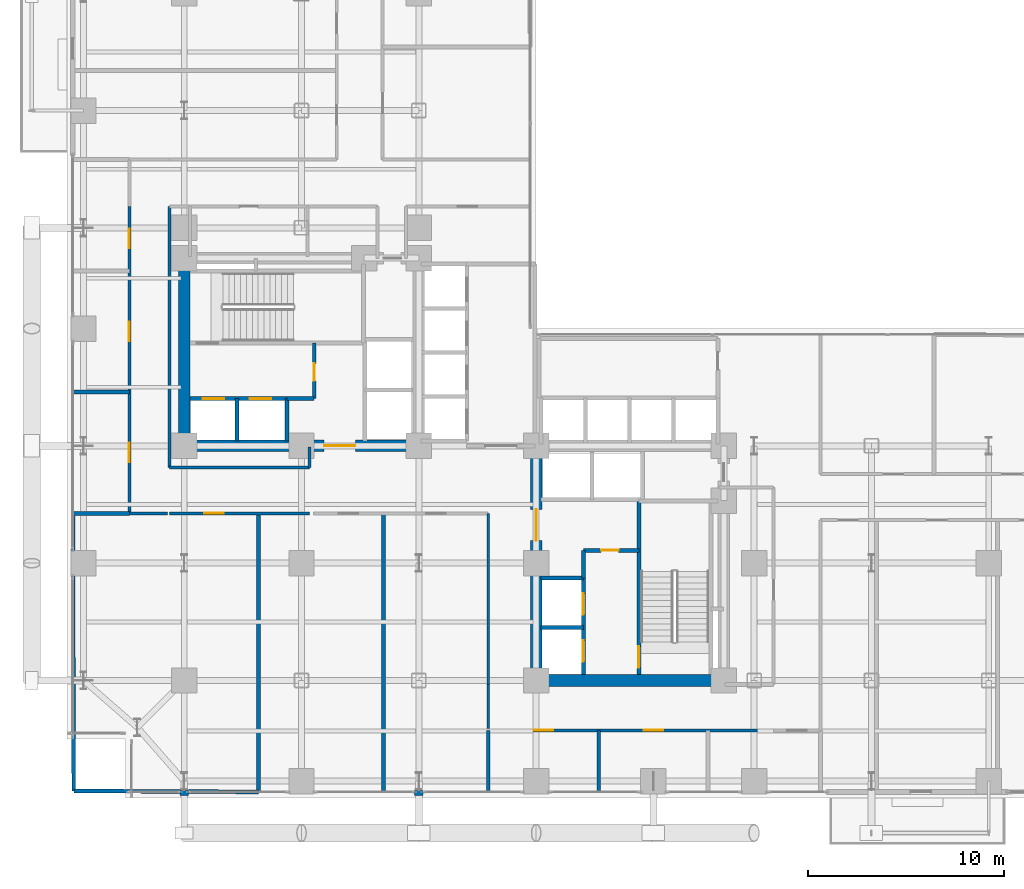
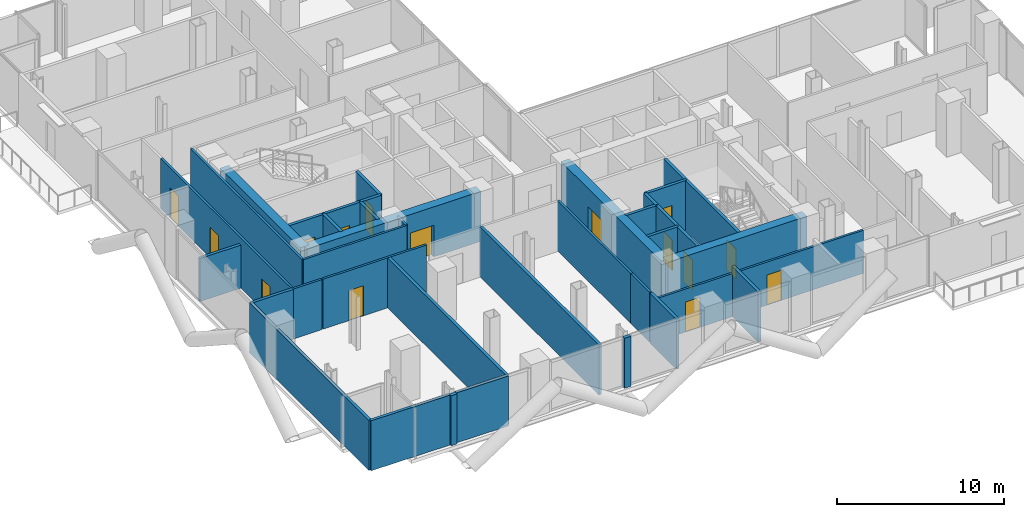
# One storey, part 21 of 27: 35 walls, 15 doors, 15 openings.
"""IFC4 building model written with IfcOpenShell, lengths in metres."""

import ifcopenshell
import ifcopenshell.guid

model = None  # the IFC model being written
_history = None  # IfcOwnerHistory: only IFC2X3 demands one
_inside = {}  # id of a spatial element -> (the spatial element, [elements in it])
_under = {}  # id of a project, library or spatial element -> (it, [spatial elements below it])
_declared = {}  # id of a project -> (the project, [libraries it declares])
_typed = {}  # id of a type object -> (the type object, [elements of that type])
_made_of = {}  # id of a material, layer set ... -> (it, [elements and type objects made of it])


def new_model(schema):
    """Start an empty IFC model of exactly this schema.

    Asked for "IFC4X3", IfcOpenShell would pick the latest addendum, in which some entities
    have other attributes; the version numbers below select the first issue.
    IFC2X3 requires an IfcOwnerHistory on every rooted entity: one is made here for all.
    """
    global model, _history
    if schema == "IFC4X3":
        model = ifcopenshell.file(schema_version=(4, 3, 0, 0))
    else:
        model = ifcopenshell.file(schema=schema)
    _inside.clear()
    _under.clear()
    _declared.clear()
    _typed.clear()
    _made_of.clear()
    _history = None
    if model.schema == "IFC2X3":
        org = make("IfcOrganization", Name="unknown")
        user = make(
            "IfcPersonAndOrganization",
            ThePerson=make("IfcPerson", FamilyName="unknown"),
            TheOrganization=org,
        )
        app = make(
            "IfcApplication",
            ApplicationDeveloper=org,
            Version="unknown",
            ApplicationFullName="unknown",
            ApplicationIdentifier="unknown",
        )
        _history = make(
            "IfcOwnerHistory",
            OwningUser=user,
            OwningApplication=app,
            ChangeAction="ADDED",
            CreationDate=0,
        )
    return model


def make(cls, **values):
    """One entity of the class cls with the attributes given. An attribute that is None is left unset."""
    return model.create_entity(
        cls, **{name: value for name, value in values.items() if value is not None}
    )


def rooted(cls, **values):
    """An entity with a GlobalId (a new one), such as an element, a storey or a relation."""
    return make(cls, GlobalId=ifcopenshell.guid.new(), OwnerHistory=_history, **values)


def si_unit(unit_type, name, prefix=None):
    """IfcSIUnit, for example si_unit("LENGTHUNIT", "METRE", prefix="MILLI")."""
    return make("IfcSIUnit", UnitType=unit_type, Prefix=prefix, Name=name)


def assignment(units):
    """IfcUnitAssignment: the units of a project."""
    return None if units is None else make("IfcUnitAssignment", Units=units)


def point(xyz):
    """IfcCartesianPoint."""
    return None if xyz is None else make("IfcCartesianPoint", Coordinates=xyz)


def direction(xyz):
    """IfcDirection."""
    return None if xyz is None else make("IfcDirection", DirectionRatios=xyz)


def frame(location, z_axis=None, x_axis=None):
    """IfcAxis2Placement3D, a coordinate frame: its origin and axes. An axis left out is left unset."""
    return make(
        "IfcAxis2Placement3D",
        Location=point(location),
        Axis=direction(z_axis),
        RefDirection=direction(x_axis),
    )


def frame_2d(location, x_axis=None):
    """IfcAxis2Placement2D, a coordinate frame in the plane: its origin and x axis."""
    return make(
        "IfcAxis2Placement2D", Location=point(location), RefDirection=direction(x_axis)
    )


def origin():
    """The frame at (0, 0, 0) with its axes left unset."""
    return frame((0.0, 0.0, 0.0))


def place(relative_to, where):
    """IfcLocalPlacement: puts the frame where relative to a parent placement (None: the world)."""
    return make(
        "IfcLocalPlacement", PlacementRelTo=relative_to, RelativePlacement=where
    )


def context(
    kind, dimensions, precision=None, world=None, true_north=None, identifier=None
):
    """IfcGeometricRepresentationContext, for example the 3D "Model" context."""
    return make(
        "IfcGeometricRepresentationContext",
        ContextIdentifier=identifier,
        ContextType=kind,
        CoordinateSpaceDimension=dimensions,
        Precision=precision,
        WorldCoordinateSystem=world,
        TrueNorth=true_north,
    )


def subcontext(parent, identifier, kind, view, scale=None):
    """IfcGeometricRepresentationSubContext, for example "Body" below "Model"."""
    return make(
        "IfcGeometricRepresentationSubContext",
        ContextIdentifier=identifier,
        ContextType=kind,
        ParentContext=parent,
        TargetScale=scale,
        TargetView=view,
    )


def project(units=None, contexts=None):
    """IfcProject with its units and contexts."""
    return rooted(
        "IfcProject",
        Name="project",
        RepresentationContexts=contexts,
        UnitsInContext=assignment(units),
    )


def spatial(cls, under=None, at=None, **own):
    """A site, building, storey or space (cls), placed at a placement, below another one or the project."""
    s = rooted(cls, ObjectPlacement=at, **own)
    if under is not None:
        _under.setdefault(under.id(), (under, []))[1].append(s)
    return s


def profile(cls, at=None, kind="AREA", **sizes):
    """A parametric profile (cls). Its sizes go by their IFC names, for example OverallWidth=200.0."""
    return make(cls, ProfileType=kind, Position=at, **sizes)


def rectangle(**sizes):
    """IfcRectangleProfileDef."""
    return profile("IfcRectangleProfileDef", **sizes)


def extrude(swept, where, along, depth):
    """IfcExtrudedAreaSolid: the profile swept, set in the frame where, extruded along a direction by depth."""
    return make(
        "IfcExtrudedAreaSolid",
        SweptArea=swept,
        Position=where,
        ExtrudedDirection=direction(along),
        Depth=depth,
    )


def shape(context_of_items, identifier, shape_type, items):
    """IfcShapeRepresentation: the items that make up one representation, for example the "Body"."""
    return make(
        "IfcShapeRepresentation",
        ContextOfItems=context_of_items,
        RepresentationIdentifier=identifier,
        RepresentationType=shape_type,
        Items=items,
    )


def material(Name=None, Category=None):
    """IfcMaterial."""
    return make("IfcMaterial", Name=Name, Category=Category)


def layer(
    of_material, thickness, ventilated=None, Name=None, Category=None, Priority=None
):
    """IfcMaterialLayer: one layer of a wall or slab, of a material (None: an air gap)."""
    return make(
        "IfcMaterialLayer",
        Material=of_material,
        LayerThickness=thickness,
        IsVentilated=ventilated,
        Name=Name,
        Category=Category,
        Priority=Priority,
    )


def layer_set(layers, Name=None):
    """IfcMaterialLayerSet."""
    return make("IfcMaterialLayerSet", MaterialLayers=layers, LayerSetName=Name)


def made_of(thing, what):
    """Note that an element or type object is made of a material, layer set ...; save() writes the relation."""
    if what is not None:
        _made_of.setdefault(what.id(), (what, []))[1].append(thing)
    return thing


def type_object(cls, material=None, **own):
    """A type object (cls), such as IfcWallType, which elements share."""
    return made_of(rooted(cls, **own), material)


def element(
    cls,
    number,
    at=None,
    inside=None,
    cuts=None,
    type_object=None,
    material=None,
    context=None,
    identifier="Body",
    shape_type=None,
    held_by="IfcProductDefinitionShape",
    body=None,
    shapes=None,
    **own,
):
    """One element of the class cls, such as IfcWall. Its Tag is "e" and its number.

    at: its placement. inside: the storey or other place that contains it. cuts: it is an
    opening in that element (IfcRelVoidsElement). A single representation is given by context,
    identifier, shape_type and body (its items); several are given by shapes. held_by: the class
    of the entity that holds the representations. save() writes the other relations.
    """
    e = rooted(cls, Tag="e%d" % number, ObjectPlacement=at, **own)
    if body is not None:
        shapes = [shape(context, identifier, shape_type, body)]
    if shapes is not None:
        e.Representation = make(held_by, Representations=shapes)
    if inside is not None:
        _inside.setdefault(inside.id(), (inside, []))[1].append(e)
    if cuts is not None:
        rooted(
            "IfcRelVoidsElement", RelatingBuildingElement=cuts, RelatedOpeningElement=e
        )
    if type_object is not None:
        _typed.setdefault(type_object.id(), (type_object, []))[1].append(e)
    return made_of(e, material)


def fill(opening, filler):
    """IfcRelFillsElement: the door or window that sits in an opening."""
    return rooted(
        "IfcRelFillsElement",
        RelatingOpeningElement=opening,
        RelatedBuildingElement=filler,
    )


def aggregate(whole, parts):
    """IfcRelAggregates: a whole, such as a stair, and the parts it consists of."""
    return rooted("IfcRelAggregates", RelatingObject=whole, RelatedObjects=parts)


def save(model, path):
    """Write the relations noted so far, then the file.

    IfcRelAggregates (storeys below a building ...), IfcRelContainedInSpatialStructure (elements
    in a storey), IfcRelDefinesByType, IfcRelAssociatesMaterial and IfcRelDeclares: one each for
    every whole, place, type object, material and project.
    """
    for whole, parts in _under.values():
        aggregate(whole, parts)
    for where, things in _inside.values():
        rooted(
            "IfcRelContainedInSpatialStructure",
            RelatedElements=things,
            RelatingStructure=where,
        )
    for kind, things in _typed.values():
        rooted("IfcRelDefinesByType", RelatedObjects=things, RelatingType=kind)
    for what, things in _made_of.values():
        rooted("IfcRelAssociatesMaterial", RelatedObjects=things, RelatingMaterial=what)
    for by, libraries in _declared.values():
        rooted("IfcRelDeclares", RelatingContext=by, RelatedDefinitions=libraries)
    model.write(path)


model = new_model("IFC4")

# Units and contexts
model_context = context("Model", 3, precision=1e-05, world=origin(), true_north=direction((0.0, 1.0)))
body_context = subcontext(model_context, "Body", "Model", "MODEL_VIEW")
ifc_project = project(units=[si_unit("LENGTHUNIT", "METRE"), si_unit("AREAUNIT", "SQUARE_METRE"), si_unit("VOLUMEUNIT", "CUBIC_METRE"), si_unit("PLANEANGLEUNIT", "RADIAN"), si_unit("MASSUNIT", "GRAM", prefix="KILO"), si_unit("THERMODYNAMICTEMPERATUREUNIT", "KELVIN"), si_unit("POWERUNIT", "WATT")], contexts=[model_context])

# Site, building, storey
site_placement = place(None, origin())
site = spatial("IfcSite", under=ifc_project, at=site_placement, CompositionType="ELEMENT")
building_placement = place(site_placement, origin())
building = spatial("IfcBuilding", under=site, at=building_placement, Name="Svarakhadi Broadcast Tower", CompositionType="ELEMENT")
storey_placement = place(building_placement, frame((0.0, 0.0, 71.39990234375)))
storey = spatial("IfcBuildingStorey", under=building, at=storey_placement, Name="L16", CompositionType="ELEMENT", Elevation=71.39990234375)

# Walls
ifc_material_1 = material(Name="Double-Stud Acoustic Studio Partition STC-62", Category="gypsum")
ifc_layer_1 = layer(ifc_material_1, 0.199951171875)
ifc_layer_set_1 = layer_set([ifc_layer_1], Name="Double-Stud Acoustic Studio Partition STC-62")
wall_type_1 = type_object("IfcWallType", Name="Wall_Acoust_200", PredefinedType="PARTITIONING", material=ifc_layer_set_1)
wall_1_placement = place(storey_placement, frame((0.35009765625, 0.35009765625, 0.0), z_axis=(0.0, 0.0, 1.0), x_axis=(0.99998595132, -0.005300675722, 0.0)))
element("IfcWall", 1, at=wall_1_placement, inside=storey, type_object=wall_type_1, Name="L16 Waterfront Broadcast Staff Dining Hall Wall", PredefinedType="PARTITIONING", context=body_context, shape_type="SweptSolid", body=[
    extrude(rectangle(XDim=5.434814453125, YDim=0.199951171875, at=frame_2d((2.71728515625, 0.0))), origin(), (0.0, 0.0, 1.0), 3.650146484375),
])
wall_2_placement = place(storey_placement, frame((6.215087890625, 0.319091796875, 0.0), z_axis=(0.0, 0.0, 1.0), x_axis=(0.999985892136, -0.005311829174, 0.0)))
element("IfcWall", 2, at=wall_2_placement, inside=storey, type_object=wall_type_1, Name="L16 Waterfront Broadcast Staff Dining Hall Wall", PredefinedType="PARTITIONING", context=body_context, shape_type="SweptSolid", body=[
    extrude(rectangle(XDim=3.5849609375, YDim=0.199951171875, at=frame_2d((1.79248046875, 0.0))), origin(), (0.0, 0.0, 1.0), 3.650146484375),
])
wall_3_placement = place(storey_placement, frame((0.35009765625, 0.35009765625, 0.0), z_axis=(0.0, 0.0, 1.0), x_axis=(-0.003524555588, 0.999993788735, 0.0)))
element("IfcWall", 3, at=wall_3_placement, inside=storey, type_object=wall_type_1, Name="L16 Waterfront Broadcast Staff Dining Hall Wall", PredefinedType="PARTITIONING", context=body_context, shape_type="SweptSolid", body=[
    extrude(rectangle(XDim=14.199951171875, YDim=0.199951171875, at=frame_2d((7.10009765625, 0.0))), origin(), (0.0, 0.0, 1.0), 3.650146484375),
])
for number, where, z_axis, x_axis, name in (
    (4, (9.800048828125, 0.300048828125, 0.0), (0.0, 0.0, 1.0), (0.0, 1.0, 0.0), "L16 Waterfront Broadcast Staff Dining Hall Wall"),
    (5, (16.199951171875, 0.300048828125, 0.0), (0.0, 0.0, 1.0), (0.0, 1.0, 0.0), "L16 Central Commercial Catering Kitchen Wall"),
):
    element("IfcWall", number, at=place(storey_placement, frame(where, z_axis=z_axis, x_axis=x_axis)), inside=storey, type_object=wall_type_1, Name=name, PredefinedType="PARTITIONING", context=body_context, shape_type="SweptSolid", body=[
        extrude(rectangle(XDim=14.25, YDim=0.199951171875, at=frame_2d((7.125, 0.0))), origin(), (0.0, 0.0, 1.0), 3.650146484375),
    ])
wall_4_placement = place(storey_placement, frame((0.300048828125, 14.550048828125, 0.0), z_axis=(0.0, 0.0, 1.0), x_axis=(1.0, 0.0, 0.0)))
element("IfcWall", 6, at=wall_4_placement, inside=storey, type_object=wall_type_1, Name="L16 Arabian Sea Commentary Booth Wall", PredefinedType="PARTITIONING", context=body_context, shape_type="SweptSolid", body=[
    extrude(rectangle(XDim=2.89990234375, YDim=0.199951171875, at=frame_2d((1.449951171875, 0.0))), origin(), (0.0, 0.0, 1.0), 3.650146484375),
])
wall_5_placement = place(storey_placement, frame((0.300048828125, 20.75, 0.0), z_axis=(0.0, 0.0, 1.0), x_axis=(1.0, 0.0, 0.0)))
element("IfcWall", 7, at=wall_5_placement, inside=storey, type_object=wall_type_1, Name="L16 Arabian Sea Commentary Booth Wall", PredefinedType="PARTITIONING", context=body_context, shape_type="SweptSolid", body=[
    extrude(rectangle(XDim=2.89990234375, YDim=0.199951171875, at=frame_2d((1.449951171875, 0.0))), origin(), (0.0, 0.0, 1.0), 3.14208984375),
])
for number, where, z_axis, x_axis, name in (
    (8, (21.550048828125, 0.300048828125, 0.0), (0.0, 0.0, 1.0), (0.0, 1.0, 0.0), "L16 South Harbour Editorial Desk Wall"),
    (9, (27.199951171875, 0.300048828125, 0.0), (0.0, 0.0, 1.0), (0.0, 1.0, 0.0), "L16 South Harbour Editorial Desk Wall"),
):
    element("IfcWall", number, at=place(storey_placement, frame(where, z_axis=z_axis, x_axis=x_axis)), inside=storey, type_object=wall_type_1, Name=name, PredefinedType="PARTITIONING", context=body_context, shape_type="SweptSolid", body=[
        extrude(rectangle(XDim=3.14990234375, YDim=0.199951171875, at=frame_2d((1.574951171875, 0.0))), origin(), (0.0, 0.0, 1.0), 3.650146484375),
    ])
ifc_material_2 = material(Name="Concrete C40/50 (IS 456 M50)", Category="concrete")
ifc_layer_2 = layer(ifc_material_2, 0.239990234375)
ifc_layer_set_2 = layer_set([ifc_layer_2], Name="Concrete C40/50 (IS 456 M50)")
wall_type_2 = type_object("IfcWallType", Name="Wall_Ext_240", PredefinedType="SOLIDWALL", material=ifc_layer_set_2)
for number, where, z_axis, x_axis, name in (
    (10, (18.215087890625, 0.239990234375, 0.0), (0.0, 0.0, 1.0), (-1.0, 0.0, 0.0), "L16 Perimeter Bronze Spandrel Closure Wall 05"),
    (11, (6.215087890625, 0.239990234375, 0.0), (0.0, 0.0, 1.0), (-1.0, 0.0, 0.0), "L16 Perimeter Bronze Spandrel Closure Wall 06"),
):
    element("IfcWall", number, at=place(storey_placement, frame(where, z_axis=z_axis, x_axis=x_axis)), inside=storey, type_object=wall_type_2, Name=name, PredefinedType="SOLIDWALL", context=body_context, shape_type="SweptSolid", body=[
        extrude(rectangle(XDim=0.43017578125, YDim=0.239990234375, at=frame_2d((0.215087890625, 0.0))), origin(), (0.0, 0.0, 1.0), 3.650146484375),
    ])

# Wall, openings, doors
ifc_material_3 = material(Name="Autoclaved Aerated Concrete Blockwork 150 mm", Category="masonry")
ifc_layer_3 = layer(ifc_material_3, 0.14990234375)
ifc_layer_set_3 = layer_set([ifc_layer_3], Name="Autoclaved Aerated Concrete Blockwork 150 mm")
wall_type_3 = type_object("IfcWallType", Name="Wall_Part_150", PredefinedType="PARTITIONING", material=ifc_layer_set_3)
wall_6_placement = place(storey_placement, frame((36.14990234375, 3.449951171875, 0.0), z_axis=(0.0, 0.0, 1.0), x_axis=(-1.0, 0.0, 0.0)))
wall_6 = element("IfcWall", 12, at=wall_6_placement, inside=storey, type_object=wall_type_3, Name="L16 Broadcast Corridor Wall", PredefinedType="PARTITIONING", context=body_context, shape_type="SweptSolid", body=[
    extrude(rectangle(XDim=14.599853515625, YDim=0.14990234375, at=frame_2d((7.2998046875, 0.0))), origin(), (0.0, 0.0, 1.0), 3.14208984375),
])
opening_1_placement = place(wall_6_placement, frame((11.27490234375, 0.0, 0.0)))
opening_1 = element("IfcOpeningElement", 13, at=opening_1_placement, cuts=wall_6, Name="Opening D-09", PredefinedType="OPENING", context=body_context, shape_type="SweptSolid", body=[
    extrude(rectangle(XDim=1.0, YDim=2.199951171875, at=frame_2d((0.5, 1.10009765625))), frame((0.0, 0.0849609375, 0.0), z_axis=(0.0, -1.0, 0.0), x_axis=(1.0, 0.0, 0.0)), (0.0, 0.0, 1.0), 0.169921875),
])
opening_2_placement = place(wall_6_placement, frame((5.64990234375, 0.0, 0.0)))
opening_2 = element("IfcOpeningElement", 14, at=opening_2_placement, cuts=wall_6, Name="Opening D-08", PredefinedType="OPENING", context=body_context, shape_type="SweptSolid", body=[
    extrude(rectangle(XDim=1.0, YDim=2.199951171875, at=frame_2d((0.5, 1.10009765625))), frame((0.0, 0.0849609375, 0.0), z_axis=(0.0, -1.0, 0.0), x_axis=(1.0, 0.0, 0.0)), (0.0, 0.0, 1.0), 0.169921875),
])
ifc_material_4 = material(Name="Solid-Core Teak Veneer Acoustic Timber Leaf", Category="wood")
door_type_1 = type_object("IfcDoorType", Name="Door_Suite_D08", OperationType="SINGLE_SWING_LEFT", PredefinedType="DOOR", material=ifc_material_4)
door_1_placement = place(opening_2_placement, origin())
door_1 = element("IfcDoor", 15, at=door_1_placement, inside=storey, type_object=door_type_1, Name="L16 Media Legal Review Office Door", OperationType="SINGLE_SWING_LEFT", OverallHeight=2.199951171875, OverallWidth=1.0, PredefinedType="DOOR", context=body_context, shape_type="SweptSolid", body=[
    extrude(rectangle(XDim=1.0, YDim=2.199951171875, at=frame_2d((0.5, 1.10009765625))), frame((0.0, 0.02490234375, 0.0), z_axis=(0.0, -1.0, 0.0), x_axis=(1.0, 0.0, 0.0)), (0.0, 0.0, 1.0), 0.050048828125),
])
fill(opening_2, door_1)
door_type_2 = type_object("IfcDoorType", Name="Door_Suite_D09", OperationType="SINGLE_SWING_RIGHT", PredefinedType="DOOR", material=ifc_material_4)
door_2_placement = place(opening_1_placement, origin())
door_2 = element("IfcDoor", 16, at=door_2_placement, inside=storey, type_object=door_type_2, Name="L16 South Harbour Editorial Desk Door", OperationType="SINGLE_SWING_RIGHT", OverallHeight=2.199951171875, OverallWidth=1.0, PredefinedType="DOOR", context=body_context, shape_type="SweptSolid", body=[
    extrude(rectangle(XDim=1.0, YDim=2.199951171875, at=frame_2d((0.5, 1.10009765625))), frame((0.0, 0.02490234375, 0.0), z_axis=(0.0, -1.0, 0.0), x_axis=(1.0, 0.0, 0.0)), (0.0, 0.0, 1.0), 0.050048828125),
])
fill(opening_1, door_2)

# Walls
wall_7_placement = place(storey_placement, frame((21.550048828125, 3.550048828125, 0.0), z_axis=(0.0, 0.0, 1.0), x_axis=(0.0, 1.0, 0.0)))
element("IfcWall", 17, at=wall_7_placement, inside=storey, type_object=wall_type_3, Name="L16 Broadcast Corridor Wall", PredefinedType="PARTITIONING", context=body_context, shape_type="SweptSolid", body=[
    extrude(rectangle(XDim=2.25, YDim=0.14990234375, at=frame_2d((1.125, 0.0))), origin(), (0.0, 0.0, 1.0), 3.650146484375),
])
wall_8_placement = place(storey_placement, frame((21.550048828125, 5.800048828125, 0.0), z_axis=(0.0, 0.0, 1.0), x_axis=(0.0, 1.0, 0.0)))
element("IfcWall", 18, at=wall_8_placement, inside=storey, type_object=wall_type_3, Name="L16 Broadcast Corridor Wall", PredefinedType="PARTITIONING", context=body_context, shape_type="SweptSolid", body=[
    extrude(rectangle(XDim=8.75, YDim=0.14990234375, at=frame_2d((4.375, 0.0))), origin(), (0.0, 0.0, 1.0), 3.650146484375),
])

# Wall, opening, door
wall_9_placement = place(storey_placement, frame((12.39990234375, 14.550048828125, 0.0), z_axis=(0.0, 0.0, 1.0), x_axis=(-1.0, 0.0, 0.0)))
wall_9 = element("IfcWall", 19, at=wall_9_placement, inside=storey, type_object=wall_type_3, Name="L16 Broadcast Corridor Wall", PredefinedType="PARTITIONING", context=body_context, shape_type="SweptSolid", body=[
    extrude(rectangle(XDim=7.14990234375, YDim=0.14990234375, at=frame_2d((3.574951171875, 0.0))), origin(), (0.0, 0.0, 1.0), 3.650146484375),
])
opening_3_placement = place(wall_9_placement, frame((4.375, 0.0, 0.0)))
opening_3 = element("IfcOpeningElement", 20, at=opening_3_placement, cuts=wall_9, Name="Opening D-09", PredefinedType="OPENING", context=body_context, shape_type="SweptSolid", body=[
    extrude(rectangle(XDim=1.0, YDim=2.199951171875, at=frame_2d((0.5, 1.10009765625))), frame((0.0, 0.0849609375, 0.0), z_axis=(0.0, -1.0, 0.0), x_axis=(1.0, 0.0, 0.0)), (0.0, 0.0, 1.0), 0.169921875),
])
door_3_placement = place(opening_3_placement, origin())
door_3 = element("IfcDoor", 21, at=door_3_placement, inside=storey, type_object=door_type_2, Name="L16 Waterfront Broadcast Staff Dining Hall Door", OperationType="SINGLE_SWING_RIGHT", OverallHeight=2.199951171875, OverallWidth=1.0, PredefinedType="DOOR", context=body_context, shape_type="SweptSolid", body=[
    extrude(rectangle(XDim=1.0, YDim=2.199951171875, at=frame_2d((0.5, 1.10009765625))), frame((0.0, 0.02490234375, 0.0), z_axis=(0.0, -1.0, 0.0), x_axis=(1.0, 0.0, 0.0)), (0.0, 0.0, 1.0), 0.050048828125),
])
fill(opening_3, door_3)

# Wall
wall_10_placement = place(storey_placement, frame((5.14990234375, 14.550048828125, 0.0), z_axis=(0.0, 0.0, 1.0), x_axis=(-1.0, 0.0, 0.0)))
element("IfcWall", 22, at=wall_10_placement, inside=storey, type_object=wall_type_3, Name="L16 Broadcast Corridor Wall", PredefinedType="PARTITIONING", context=body_context, shape_type="SweptSolid", body=[
    extrude(rectangle(XDim=1.949951171875, YDim=0.14990234375, at=frame_2d((0.97509765625, 0.0))), origin(), (0.0, 0.0, 1.0), 3.650146484375),
])

# Wall, openings, doors
wall_11_placement = place(storey_placement, frame((3.199951171875, 14.550048828125, 0.0), z_axis=(0.0, 0.0, 1.0), x_axis=(0.0, 1.0, 0.0)))
wall_11 = element("IfcWall", 23, at=wall_11_placement, inside=storey, type_object=wall_type_3, Name="L16 Broadcast Corridor Wall", PredefinedType="PARTITIONING", context=body_context, shape_type="SweptSolid", body=[
    extrude(rectangle(XDim=15.699951171875, YDim=0.14990234375, at=frame_2d((7.85009765625, 0.0))), origin(), (0.0, 0.0, 1.0), 3.650146484375),
])
opening_4_placement = place(wall_11_placement, frame((2.60009765625, 0.0, 0.0)))
opening_4 = element("IfcOpeningElement", 24, at=opening_4_placement, cuts=wall_11, Name="Opening D-08", PredefinedType="OPENING", context=body_context, shape_type="SweptSolid", body=[
    extrude(rectangle(XDim=1.0, YDim=2.199951171875, at=frame_2d((0.5, 1.10009765625))), frame((0.0, 0.0849609375, 0.0), z_axis=(0.0, -1.0, 0.0), x_axis=(1.0, 0.0, 0.0)), (0.0, 0.0, 1.0), 0.169921875),
])
opening_5_placement = place(wall_11_placement, frame((8.800048828125, 0.0, 0.0)))
opening_5 = element("IfcOpeningElement", 25, at=opening_5_placement, cuts=wall_11, Name="Opening D-09", PredefinedType="OPENING", context=body_context, shape_type="SweptSolid", body=[
    extrude(rectangle(XDim=1.0, YDim=2.199951171875, at=frame_2d((0.5, 1.10009765625))), frame((0.0, 0.0849609375, 0.0), z_axis=(0.0, -1.0, 0.0), x_axis=(1.0, 0.0, 0.0)), (0.0, 0.0, 1.0), 0.169921875),
])
opening_6_placement = place(wall_11_placement, frame((13.550048828125, 0.0, 0.0)))
opening_6 = element("IfcOpeningElement", 26, at=opening_6_placement, cuts=wall_11, Name="Opening D-08", PredefinedType="OPENING", context=body_context, shape_type="SweptSolid", body=[
    extrude(rectangle(XDim=1.0, YDim=2.199951171875, at=frame_2d((0.5, 1.10009765625))), frame((0.0, 0.0849609375, 0.0), z_axis=(0.0, -1.0, 0.0), x_axis=(1.0, 0.0, 0.0)), (0.0, 0.0, 1.0), 0.169921875),
])
door_4_placement = place(opening_4_placement, origin())
door_4 = element("IfcDoor", 27, at=door_4_placement, inside=storey, type_object=door_type_1, Name="L16 Arabian Sea Commentary Booth Door", OperationType="SINGLE_SWING_LEFT", OverallHeight=2.199951171875, OverallWidth=1.0, PredefinedType="DOOR", context=body_context, shape_type="SweptSolid", body=[
    extrude(rectangle(XDim=1.0, YDim=2.199951171875, at=frame_2d((0.5, 1.10009765625))), frame((0.0, 0.02490234375, 0.0), z_axis=(0.0, -1.0, 0.0), x_axis=(1.0, 0.0, 0.0)), (0.0, 0.0, 1.0), 0.050048828125),
])
fill(opening_4, door_4)
door_5_placement = place(opening_6_placement, origin())
door_5 = element("IfcDoor", 28, at=door_5_placement, inside=storey, type_object=door_type_1, Name="L16 Producer Quiet Lounge Door", OperationType="SINGLE_SWING_LEFT", OverallHeight=2.199951171875, OverallWidth=1.0, PredefinedType="DOOR", context=body_context, shape_type="SweptSolid", body=[
    extrude(rectangle(XDim=1.0, YDim=2.199951171875, at=frame_2d((0.5, 1.10009765625))), frame((0.0, 0.02490234375, 0.0), z_axis=(0.0, -1.0, 0.0), x_axis=(1.0, 0.0, 0.0)), (0.0, 0.0, 1.0), 0.050048828125),
])
fill(opening_6, door_5)
door_6_placement = place(opening_5_placement, origin())
door_6 = element("IfcDoor", 29, at=door_6_placement, inside=storey, type_object=door_type_2, Name="L16 Live Translation Studio Door", OperationType="SINGLE_SWING_RIGHT", OverallHeight=2.199951171875, OverallWidth=1.0, PredefinedType="DOOR", context=body_context, shape_type="SweptSolid", body=[
    extrude(rectangle(XDim=1.0, YDim=2.199951171875, at=frame_2d((0.5, 1.10009765625))), frame((0.0, 0.02490234375, 0.0), z_axis=(0.0, -1.0, 0.0), x_axis=(1.0, 0.0, 0.0)), (0.0, 0.0, 1.0), 0.050048828125),
])
fill(opening_5, door_6)

# Walls
wall_12_placement = place(storey_placement, frame((5.25, 30.25, 0.0), z_axis=(0.0, 0.0, 1.0), x_axis=(0.0, -1.0, 0.0)))
element("IfcWall", 30, at=wall_12_placement, inside=storey, type_object=wall_type_3, Name="L16 Broadcast Corridor Wall", PredefinedType="PARTITIONING", context=body_context, shape_type="SweptSolid", body=[
    extrude(rectangle(XDim=13.35009765625, YDim=0.14990234375, at=frame_2d((6.675048828125, 0.0))), origin(), (0.0, 0.0, 1.0), 3.650146484375),
])
wall_13_placement = place(storey_placement, frame((5.25, 16.89990234375, 0.0), z_axis=(0.0, 0.0, 1.0), x_axis=(1.0, 0.0, 0.0)))
element("IfcWall", 31, at=wall_13_placement, inside=storey, type_object=wall_type_3, Name="L16 Broadcast Corridor Wall", PredefinedType="PARTITIONING", context=body_context, shape_type="SweptSolid", body=[
    extrude(rectangle(XDim=7.14990234375, YDim=0.14990234375, at=frame_2d((3.574951171875, 0.0))), origin(), (0.0, 0.0, 1.0), 3.650146484375),
])
wall_14_placement = place(storey_placement, frame((12.39990234375, 16.89990234375, 0.0), z_axis=(0.0, 0.0, 1.0), x_axis=(0.0, 1.0, 0.0)))
element("IfcWall", 32, at=wall_14_placement, inside=storey, type_object=wall_type_3, Name="L16 Broadcast Corridor Wall", PredefinedType="PARTITIONING", context=body_context, shape_type="SweptSolid", body=[
    extrude(rectangle(XDim=1.050048828125, YDim=0.14990234375, at=frame_2d((0.52490234375, 0.0))), origin(), (0.0, 0.0, 1.0), 3.650146484375),
])

# Wall, opening, door
ifc_material_5 = material(Name="Concrete C50/60 (IS 456 M60)", Category="concrete")
ifc_layer_4 = layer(ifc_material_5, 0.199951171875)
ifc_layer_set_4 = layer_set([ifc_layer_4], Name="Concrete C50/60 (IS 456 M60)")
wall_type_4 = type_object("IfcWallType", Name="Wall_Shear_200", PredefinedType="SHEAR", material=ifc_layer_set_4)
wall_15_placement = place(storey_placement, frame((29.260009765625, 6.300048828125, 0.0), z_axis=(0.0, 0.0, 1.0), x_axis=(0.0, 1.0, 0.0)))
wall_15 = element("IfcWall", 33, at=wall_15_placement, inside=storey, type_object=wall_type_4, Name="L16 Stair ST-02 West RC Shaft Wall", PredefinedType="SHEAR", context=body_context, shape_type="SweptSolid", body=[
    extrude(rectangle(XDim=8.8798828125, YDim=0.199951171875, at=frame_2d((4.43994140625, 0.0))), origin(), (0.0, 0.0, 1.0), 3.650146484375),
])
opening_7_placement = place(wall_15_placement, frame((0.35009765625, 0.0, 0.0)))
opening_7 = element("IfcOpeningElement", 34, at=opening_7_placement, cuts=wall_15, Name="Opening D-02", PredefinedType="OPENING", context=body_context, shape_type="SweptSolid", body=[
    extrude(rectangle(XDim=1.10009765625, YDim=2.199951171875, at=frame_2d((0.550048828125, 1.10009765625))), frame((0.0, 0.10986328125, 0.0), z_axis=(0.0, -1.0, 0.0), x_axis=(1.0, 0.0, 0.0)), (0.0, 0.0, 1.0), 0.219970703125),
])
ifc_material_6 = material(Name="Galvanised Powder-Coated Fire-Rated Steel Leaf", Category="steel")
door_type_3 = type_object("IfcDoorType", Name="Door_Stair_D02", OperationType="SINGLE_SWING_RIGHT", PredefinedType="DOOR", material=ifc_material_6)
door_7_placement = place(opening_7_placement, origin())
door_7 = element("IfcDoor", 35, at=door_7_placement, inside=storey, type_object=door_type_3, Name="L16 Protected Exit Stair ST-02 Fire Door", OperationType="SINGLE_SWING_RIGHT", OverallHeight=2.199951171875, OverallWidth=1.10009765625, PredefinedType="DOOR", context=body_context, shape_type="SweptSolid", body=[
    extrude(rectangle(XDim=1.10009765625, YDim=2.199951171875, at=frame_2d((0.550048828125, 1.10009765625))), frame((0.0, 0.02490234375, 0.0), z_axis=(0.0, -1.0, 0.0), x_axis=(1.0, 0.0, 0.0)), (0.0, 0.0, 1.0), 0.050048828125),
])
fill(opening_7, door_7)

# Wall, openings, doors
wall_16_placement = place(storey_placement, frame((6.300048828125, 20.419921875, 0.0), z_axis=(0.0, 0.0, 1.0), x_axis=(1.0, 0.0, 0.0)))
wall_16 = element("IfcWall", 36, at=wall_16_placement, inside=storey, type_object=wall_type_4, Name="L16 Firefighting Lift LF-01/02 Shaft Wall", PredefinedType="SHEAR", context=body_context, shape_type="SweptSolid", body=[
    extrude(rectangle(XDim=4.949951171875, YDim=0.199951171875, at=frame_2d((2.47509765625, 0.0))), origin(), (0.0, 0.0, 1.0), 3.650146484375),
])
opening_8_placement = place(wall_16_placement, frame((0.64990234375, 0.0, 0.0)))
opening_8 = element("IfcOpeningElement", 37, at=opening_8_placement, cuts=wall_16, Name="Opening LD-01", PredefinedType="OPENING", context=body_context, shape_type="SweptSolid", body=[
    extrude(rectangle(XDim=1.10009765625, YDim=2.199951171875, at=frame_2d((0.550048828125, 1.10009765625))), frame((0.0, 0.10986328125, 0.0), z_axis=(0.0, -1.0, 0.0), x_axis=(1.0, 0.0, 0.0)), (0.0, 0.0, 1.0), 0.219970703125),
])
opening_9_placement = place(wall_16_placement, frame((3.050048828125, 0.0, 0.0)))
opening_9 = element("IfcOpeningElement", 38, at=opening_9_placement, cuts=wall_16, Name="Opening LD-01", PredefinedType="OPENING", context=body_context, shape_type="SweptSolid", body=[
    extrude(rectangle(XDim=1.10009765625, YDim=2.199951171875, at=frame_2d((0.550048828125, 1.10009765625))), frame((0.0, 0.10986328125, 0.0), z_axis=(0.0, -1.0, 0.0), x_axis=(1.0, 0.0, 0.0)), (0.0, 0.0, 1.0), 0.219970703125),
])
door_type_4 = type_object("IfcDoorType", Name="Door_Lift_LD01", OperationType="SLIDING_TO_LEFT", PredefinedType="DOOR", material=ifc_material_6)
door_8_placement = place(opening_8_placement, origin())
door_8 = element("IfcDoor", 39, at=door_8_placement, inside=storey, type_object=door_type_4, Name="L16 Firefighting Lift LF-01 Landing Door", OperationType="SLIDING_TO_LEFT", OverallHeight=2.199951171875, OverallWidth=1.10009765625, PredefinedType="DOOR", context=body_context, shape_type="SweptSolid", body=[
    extrude(rectangle(XDim=1.10009765625, YDim=2.199951171875, at=frame_2d((0.550048828125, 1.10009765625))), frame((0.0, 0.02490234375, 0.0), z_axis=(0.0, -1.0, 0.0), x_axis=(1.0, 0.0, 0.0)), (0.0, 0.0, 1.0), 0.050048828125),
])
fill(opening_8, door_8)
door_9_placement = place(opening_9_placement, origin())
door_9 = element("IfcDoor", 40, at=door_9_placement, inside=storey, type_object=door_type_4, Name="L16 Firefighting Lift LF-02 Landing Door", OperationType="SLIDING_TO_LEFT", OverallHeight=2.199951171875, OverallWidth=1.10009765625, PredefinedType="DOOR", context=body_context, shape_type="SweptSolid", body=[
    extrude(rectangle(XDim=1.10009765625, YDim=2.199951171875, at=frame_2d((0.550048828125, 1.10009765625))), frame((0.0, 0.02490234375, 0.0), z_axis=(0.0, -1.0, 0.0), x_axis=(1.0, 0.0, 0.0)), (0.0, 0.0, 1.0), 0.050048828125),
])
fill(opening_9, door_9)

# Walls
for number, where, z_axis, x_axis, name in (
    (41, (8.699951171875, 18.25, 0.0), (0.0, 0.0, 1.0), (0.0, 1.0, 0.0), "L16 Firefighting Lift LF-01/02 Divider Wall"),
    (42, (11.25, 18.25, 0.0), (0.0, 0.0, 1.0), (0.0, 1.0, 0.0), "L16 Firefighting Lift LF-02 East Wall"),
):
    element("IfcWall", number, at=place(storey_placement, frame(where, z_axis=z_axis, x_axis=x_axis)), inside=storey, type_object=wall_type_4, Name=name, PredefinedType="SHEAR", context=body_context, shape_type="SweptSolid", body=[
        extrude(rectangle(XDim=2.169921875, YDim=0.199951171875, at=frame_2d((1.0849609375, 0.0))), origin(), (0.0, 0.0, 1.0), 3.650146484375),
    ])
wall_17_placement = place(storey_placement, frame((11.25, 20.419921875, 0.0), z_axis=(0.0, 0.0, 1.0), x_axis=(1.0, 0.0, 0.0)))
element("IfcWall", 43, at=wall_17_placement, inside=storey, type_object=wall_type_4, Name="L16 West Firefighting Lobby South Wall", PredefinedType="SHEAR", context=body_context, shape_type="SweptSolid", body=[
    extrude(rectangle(XDim=1.39990234375, YDim=0.199951171875, at=frame_2d((0.699951171875, 0.0))), origin(), (0.0, 0.0, 1.0), 3.650146484375),
])

# Wall, opening, door
wall_18_placement = place(storey_placement, frame((12.64990234375, 20.419921875, 0.0), z_axis=(0.0, 0.0, 1.0), x_axis=(0.0, 1.0, 0.0)))
wall_18 = element("IfcWall", 44, at=wall_18_placement, inside=storey, type_object=wall_type_4, Name="L16 West Firefighting Lobby East Wall", PredefinedType="SHEAR", context=body_context, shape_type="SweptSolid", body=[
    extrude(rectangle(XDim=2.840087890625, YDim=0.199951171875, at=frame_2d((1.419921875, 0.0))), origin(), (0.0, 0.0, 1.0), 3.650146484375),
])
opening_10_placement = place(wall_18_placement, frame((0.89990234375, 0.0, 0.0)))
opening_10 = element("IfcOpeningElement", 45, at=opening_10_placement, cuts=wall_18, Name="Opening D-03", PredefinedType="OPENING", context=body_context, shape_type="SweptSolid", body=[
    extrude(rectangle(XDim=0.89990234375, YDim=2.14990234375, at=frame_2d((0.449951171875, 1.074951171875))), frame((0.0, 0.10986328125, 0.0), z_axis=(0.0, -1.0, 0.0), x_axis=(1.0, 0.0, 0.0)), (0.0, 0.0, 1.0), 0.219970703125),
])
door_type_5 = type_object("IfcDoorType", Name="Door_Fire_D03", OperationType="SINGLE_SWING_LEFT", PredefinedType="DOOR", material=ifc_material_6)
door_10_placement = place(opening_10_placement, origin())
door_10 = element("IfcDoor", 46, at=door_10_placement, inside=storey, type_object=door_type_5, Name="L16 West Firefighting Lobby Fire Door", OperationType="SINGLE_SWING_LEFT", OverallHeight=2.14990234375, OverallWidth=0.89990234375, PredefinedType="DOOR", context=body_context, shape_type="SweptSolid", body=[
    extrude(rectangle(XDim=0.89990234375, YDim=2.14990234375, at=frame_2d((0.449951171875, 1.074951171875))), frame((0.0, 0.02490234375, 0.0), z_axis=(0.0, -1.0, 0.0), x_axis=(1.0, 0.0, 0.0)), (0.0, 0.0, 1.0), 0.050048828125),
])
fill(opening_10, door_10)

# Wall, openings, doors
wall_19_placement = place(storey_placement, frame((26.419921875, 6.300048828125, 0.0), z_axis=(0.0, 0.0, 1.0), x_axis=(0.0, 1.0, 0.0)))
wall_19 = element("IfcWall", 47, at=wall_19_placement, inside=storey, type_object=wall_type_4, Name="L16 Firefighting Lift LF-03/04 Shaft Wall", PredefinedType="SHEAR", context=body_context, shape_type="SweptSolid", body=[
    extrude(rectangle(XDim=4.949951171875, YDim=0.199951171875, at=frame_2d((2.47509765625, 0.0))), origin(), (0.0, 0.0, 1.0), 3.650146484375),
])
opening_11_placement = place(wall_19_placement, frame((0.64990234375, 0.0, 0.0)))
opening_11 = element("IfcOpeningElement", 48, at=opening_11_placement, cuts=wall_19, Name="Opening LD-01", PredefinedType="OPENING", context=body_context, shape_type="SweptSolid", body=[
    extrude(rectangle(XDim=1.10009765625, YDim=2.199951171875, at=frame_2d((0.550048828125, 1.10009765625))), frame((0.0, 0.10986328125, 0.0), z_axis=(0.0, -1.0, 0.0), x_axis=(1.0, 0.0, 0.0)), (0.0, 0.0, 1.0), 0.219970703125),
])
opening_12_placement = place(wall_19_placement, frame((3.050048828125, 0.0, 0.0)))
opening_12 = element("IfcOpeningElement", 49, at=opening_12_placement, cuts=wall_19, Name="Opening LD-01", PredefinedType="OPENING", context=body_context, shape_type="SweptSolid", body=[
    extrude(rectangle(XDim=1.10009765625, YDim=2.199951171875, at=frame_2d((0.550048828125, 1.10009765625))), frame((0.0, 0.10986328125, 0.0), z_axis=(0.0, -1.0, 0.0), x_axis=(1.0, 0.0, 0.0)), (0.0, 0.0, 1.0), 0.219970703125),
])
door_11_placement = place(opening_11_placement, origin())
door_11 = element("IfcDoor", 50, at=door_11_placement, inside=storey, type_object=door_type_4, Name="L16 Firefighting Lift LF-03 Landing Door", OperationType="SLIDING_TO_LEFT", OverallHeight=2.199951171875, OverallWidth=1.10009765625, PredefinedType="DOOR", context=body_context, shape_type="SweptSolid", body=[
    extrude(rectangle(XDim=1.10009765625, YDim=2.199951171875, at=frame_2d((0.550048828125, 1.10009765625))), frame((0.0, 0.02490234375, 0.0), z_axis=(0.0, -1.0, 0.0), x_axis=(1.0, 0.0, 0.0)), (0.0, 0.0, 1.0), 0.050048828125),
])
fill(opening_11, door_11)
door_12_placement = place(opening_12_placement, origin())
door_12 = element("IfcDoor", 51, at=door_12_placement, inside=storey, type_object=door_type_4, Name="L16 Firefighting Lift LF-04 Landing Door", OperationType="SLIDING_TO_LEFT", OverallHeight=2.199951171875, OverallWidth=1.10009765625, PredefinedType="DOOR", context=body_context, shape_type="SweptSolid", body=[
    extrude(rectangle(XDim=1.10009765625, YDim=2.199951171875, at=frame_2d((0.550048828125, 1.10009765625))), frame((0.0, 0.02490234375, 0.0), z_axis=(0.0, -1.0, 0.0), x_axis=(1.0, 0.0, 0.0)), (0.0, 0.0, 1.0), 0.050048828125),
])
fill(opening_12, door_12)

# Walls
for number, where, z_axis, x_axis, name in (
    (52, (24.25, 8.699951171875, 0.0), (0.0, 0.0, 1.0), (1.0, 0.0, 0.0), "L16 Firefighting Lift LF-03/04 Divider Wall"),
    (53, (24.25, 11.25, 0.0), (0.0, 0.0, 1.0), (1.0, 0.0, 0.0), "L16 Firefighting Lift LF-04 North Wall"),
):
    element("IfcWall", number, at=place(storey_placement, frame(where, z_axis=z_axis, x_axis=x_axis)), inside=storey, type_object=wall_type_4, Name=name, PredefinedType="SHEAR", context=body_context, shape_type="SweptSolid", body=[
        extrude(rectangle(XDim=2.169921875, YDim=0.199951171875, at=frame_2d((1.0849609375, 0.0))), origin(), (0.0, 0.0, 1.0), 3.650146484375),
    ])
wall_20_placement = place(storey_placement, frame((26.419921875, 11.25, 0.0), z_axis=(0.0, 0.0, 1.0), x_axis=(0.0, 1.0, 0.0)))
element("IfcWall", 54, at=wall_20_placement, inside=storey, type_object=wall_type_4, Name="L16 East Firefighting Lobby West Wall", PredefinedType="SHEAR", context=body_context, shape_type="SweptSolid", body=[
    extrude(rectangle(XDim=1.39990234375, YDim=0.199951171875, at=frame_2d((0.699951171875, 0.0))), origin(), (0.0, 0.0, 1.0), 3.650146484375),
])

# Wall, opening, door
wall_21_placement = place(storey_placement, frame((26.419921875, 12.64990234375, 0.0), z_axis=(0.0, 0.0, 1.0), x_axis=(1.0, 0.0, 0.0)))
wall_21 = element("IfcWall", 55, at=wall_21_placement, inside=storey, type_object=wall_type_4, Name="L16 East Firefighting Lobby North Wall", PredefinedType="SHEAR", context=body_context, shape_type="SweptSolid", body=[
    extrude(rectangle(XDim=2.840087890625, YDim=0.199951171875, at=frame_2d((1.419921875, 0.0))), origin(), (0.0, 0.0, 1.0), 3.650146484375),
])
opening_13_placement = place(wall_21_placement, frame((0.89990234375, 0.0, 0.0)))
opening_13 = element("IfcOpeningElement", 56, at=opening_13_placement, cuts=wall_21, Name="Opening D-04", PredefinedType="OPENING", context=body_context, shape_type="SweptSolid", body=[
    extrude(rectangle(XDim=0.89990234375, YDim=2.14990234375, at=frame_2d((0.449951171875, 1.074951171875))), frame((0.0, 0.10986328125, 0.0), z_axis=(0.0, -1.0, 0.0), x_axis=(1.0, 0.0, 0.0)), (0.0, 0.0, 1.0), 0.219970703125),
])
door_type_6 = type_object("IfcDoorType", Name="Door_Fire_D04", OperationType="SINGLE_SWING_RIGHT", PredefinedType="DOOR", material=ifc_material_6)
door_13_placement = place(opening_13_placement, origin())
door_13 = element("IfcDoor", 57, at=door_13_placement, inside=storey, type_object=door_type_6, Name="L16 East Firefighting Lobby Fire Door", OperationType="SINGLE_SWING_RIGHT", OverallHeight=2.14990234375, OverallWidth=0.89990234375, PredefinedType="DOOR", context=body_context, shape_type="SweptSolid", body=[
    extrude(rectangle(XDim=0.89990234375, YDim=2.14990234375, at=frame_2d((0.449951171875, 1.074951171875))), frame((0.0, 0.02490234375, 0.0), z_axis=(0.0, -1.0, 0.0), x_axis=(1.0, 0.0, 0.0)), (0.0, 0.0, 1.0), 0.050048828125),
])
fill(opening_13, door_13)

ifc_material_7 = material(Name="Concrete C60/75 (IS 456 M70)", Category="concrete")
ifc_layer_5 = layer(ifc_material_7, 0.60009765625)
ifc_layer_set_5 = layer_set([ifc_layer_5], Name="Concrete C60/75 (IS 456 M70)")
wall_type_5 = type_object("IfcWallType", Name="Wall_Shear_600", PredefinedType="SHEAR", material=ifc_layer_set_5)
wall_22_placement = place(storey_placement, frame((6.0, 18.0, 0.0), z_axis=(0.0, 0.0, 1.0), x_axis=(1.0, 0.0, 0.0)))
wall_22 = element("IfcWall", 58, at=wall_22_placement, inside=storey, type_object=wall_type_5, Name="L16 West Core South Shear Wall", PredefinedType="SHEAR", context=body_context, shape_type="SweptSolid", body=[
    extrude(rectangle(XDim=12.0, YDim=0.60009765625, at=frame_2d((6.0, 0.0))), origin(), (0.0, 0.0, 1.0), 3.650146484375),
])
opening_14_placement = place(wall_22_placement, frame((7.14990234375, 0.0, 0.0)))
opening_14 = element("IfcOpeningElement", 59, at=opening_14_placement, cuts=wall_22, Name="Opening D-05", PredefinedType="OPENING", context=body_context, shape_type="SweptSolid", body=[
    extrude(rectangle(XDim=1.60009765625, YDim=2.300048828125, at=frame_2d((0.800048828125, 1.14990234375))), frame((0.0, 0.31005859375, 0.0), z_axis=(0.0, -1.0, 0.0), x_axis=(1.0, 0.0, 0.0)), (0.0, 0.0, 1.0), 0.6201171875),
])
ifc_material_8 = material(Name="Anodised Bronze Aluminium AA 6063-T6", Category="aluminium")
door_type_7 = type_object("IfcDoorType", Name="Door_Lobby_D05", OperationType="DOUBLE_DOOR_SLIDING", PredefinedType="DOOR", material=ifc_material_8)
door_14_placement = place(opening_14_placement, origin())
door_14 = element("IfcDoor", 60, at=door_14_placement, inside=storey, type_object=door_type_7, Name="L16 West Core Passenger Lift Lobby Entrance Door", OperationType="DOUBLE_DOOR_SLIDING", OverallHeight=2.300048828125, OverallWidth=1.60009765625, PredefinedType="DOOR", context=body_context, shape_type="SweptSolid", body=[
    extrude(rectangle(XDim=1.60009765625, YDim=2.300048828125, at=frame_2d((0.800048828125, 1.14990234375))), frame((0.0, 0.02490234375, 0.0), z_axis=(0.0, -1.0, 0.0), x_axis=(1.0, 0.0, 0.0)), (0.0, 0.0, 1.0), 0.050048828125),
])
fill(opening_14, door_14)

# Walls
for number, where, z_axis, x_axis, name in (
    (61, (6.0, 18.0, 0.0), (0.0, 0.0, 1.0), (0.0, 1.0, 0.0), "L16 West Core West Shear Wall"),
    (62, (24.0, 6.0, 0.0), (0.0, 0.0, 1.0), (1.0, 0.0, 0.0), "L16 East Core South Shear Wall"),
):
    element("IfcWall", number, at=place(storey_placement, frame(where, z_axis=z_axis, x_axis=x_axis)), inside=storey, type_object=wall_type_5, Name=name, PredefinedType="SHEAR", context=body_context, shape_type="SweptSolid", body=[
        extrude(rectangle(XDim=9.60009765625, YDim=0.60009765625, at=frame_2d((4.800048828125, 0.0))), origin(), (0.0, 0.0, 1.0), 3.650146484375),
    ])

# Wall, opening, door
wall_23_placement = place(storey_placement, frame((24.0, 6.0, 0.0), z_axis=(0.0, 0.0, 1.0), x_axis=(0.0, 1.0, 0.0)))
wall_23 = element("IfcWall", 63, at=wall_23_placement, inside=storey, type_object=wall_type_5, Name="L16 East Core West Shear Wall", PredefinedType="SHEAR", context=body_context, shape_type="SweptSolid", body=[
    extrude(rectangle(XDim=12.0, YDim=0.60009765625, at=frame_2d((6.0, 0.0))), origin(), (0.0, 0.0, 1.0), 3.650146484375),
])
opening_15_placement = place(wall_23_placement, frame((7.14990234375, 0.0, 0.0)))
opening_15 = element("IfcOpeningElement", 64, at=opening_15_placement, cuts=wall_23, Name="Opening D-05", PredefinedType="OPENING", context=body_context, shape_type="SweptSolid", body=[
    extrude(rectangle(XDim=1.60009765625, YDim=2.300048828125, at=frame_2d((0.800048828125, 1.14990234375))), frame((0.0, 0.31005859375, 0.0), z_axis=(0.0, -1.0, 0.0), x_axis=(1.0, 0.0, 0.0)), (0.0, 0.0, 1.0), 0.6201171875),
])
door_15_placement = place(opening_15_placement, origin())
door_15 = element("IfcDoor", 65, at=door_15_placement, inside=storey, type_object=door_type_7, Name="L16 East Core Passenger Lift Lobby Entrance Door", OperationType="DOUBLE_DOOR_SLIDING", OverallHeight=2.300048828125, OverallWidth=1.60009765625, PredefinedType="DOOR", context=body_context, shape_type="SweptSolid", body=[
    extrude(rectangle(XDim=1.60009765625, YDim=2.300048828125, at=frame_2d((0.800048828125, 1.14990234375))), frame((0.0, 0.02490234375, 0.0), z_axis=(0.0, -1.0, 0.0), x_axis=(1.0, 0.0, 0.0)), (0.0, 0.0, 1.0), 0.050048828125),
])
fill(opening_15, door_15)

save(model, "model.ifc")
